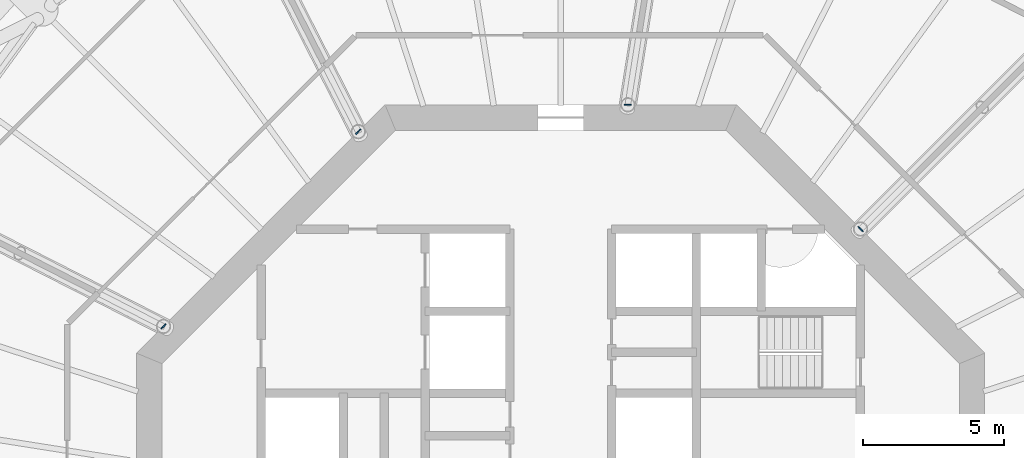
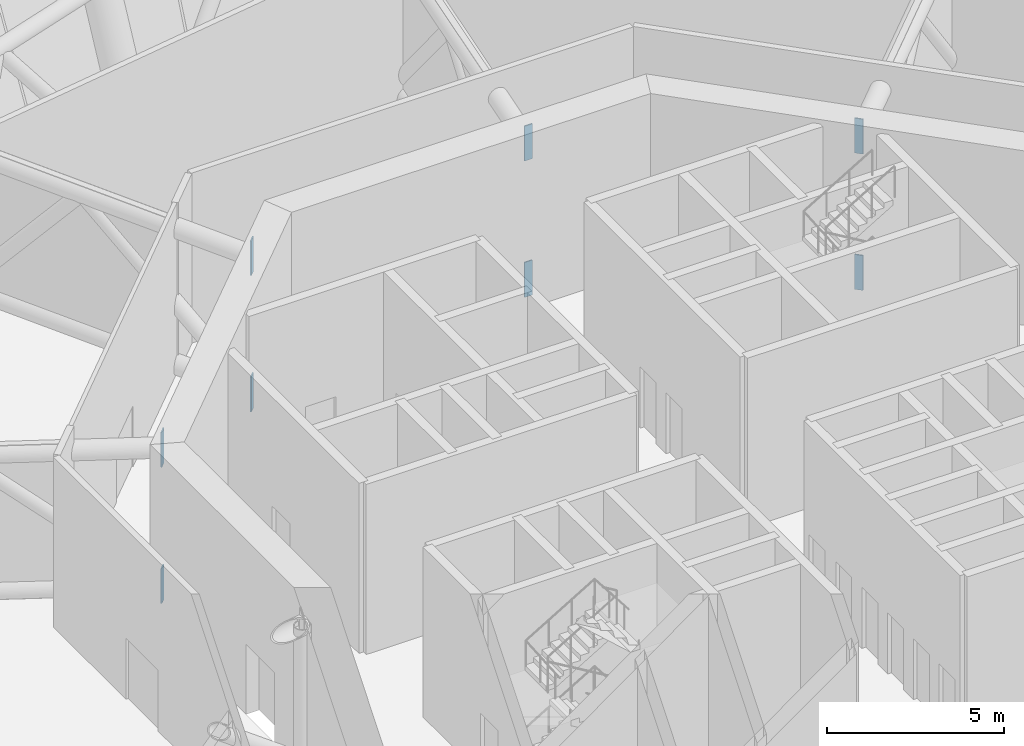
# One storey, part 12 of 15: 8 discrete accessories.
"""IFC4 building model written with IfcOpenShell, lengths in metres."""

from ifc_helpers import new_model, si_unit, direction, frame, origin, origin_2d, place, context, subcontext, project, spatial, rectangle, extrude, material, element, save


model = new_model("IFC4")

# Units and contexts
model_context = context("Model", 3, precision=1e-05, world=origin(), true_north=direction((0.0, 1.0)))
body_context = subcontext(model_context, "Body", "Model", "MODEL_VIEW")
ifc_project = project(units=[si_unit("LENGTHUNIT", "METRE"), si_unit("AREAUNIT", "SQUARE_METRE"), si_unit("VOLUMEUNIT", "CUBIC_METRE"), si_unit("PLANEANGLEUNIT", "RADIAN"), si_unit("MASSUNIT", "GRAM", prefix="KILO")], contexts=[model_context])

# Site, building, storey
site_placement = place(None, origin())
site = spatial("IfcSite", under=ifc_project, at=site_placement, CompositionType="ELEMENT")
building_placement = place(site_placement, origin())
building = spatial("IfcBuilding", under=site, at=building_placement, Name="Entoto Ring Tower", CompositionType="ELEMENT")
storey_placement = place(building_placement, frame((0.0, 0.0, 268.0)))
storey = spatial("IfcBuildingStorey", under=building, at=storey_placement, Name="L61", CompositionType="ELEMENT", Elevation=268.0)

# Discrete accessories
ifc_material = material(Name="Steel S355", Category="steel")
for number, where, z_axis, x_axis, name in (
    (1, (100.606689453125, 90.606689453125, -0.294921875), (0.0, 0.0, 1.0), (0.707106781187, 0.707106781187, 0.0), "Embedded plate L61 bottom 02"),
    (2, (100.606689453125, 90.606689453125, 4.39501953125), (0.0, 0.0, 1.0), (0.707106781187, 0.707106781187, 0.0), "Embedded plate L61 top 02"),
    (3, (92.375732421875, 95.0, -0.294921875), (0.0, 0.0, 1.0), (0.0, 1.0, 0.0), "Embedded plate L61 bottom 03"),
    (4, (92.375732421875, 95.0, 4.39501953125), (0.0, 0.0, 1.0), (0.0, 1.0, 0.0), "Embedded plate L61 top 03"),
    (5, (82.839599609375, 94.052978515625, -0.294921875), (0.0, 0.0, 1.0), (-0.707106781187, 0.707106781187, 0.0), "Embedded plate L61 bottom 04"),
    (6, (82.839599609375, 94.052978515625, 4.39501953125), (0.0, 0.0, 1.0), (-0.707106781187, 0.707106781187, 0.0), "Embedded plate L61 top 04"),
    (7, (75.947021484375, 87.160400390625, -0.294921875), (0.0, 0.0, 1.0), (-0.707106781187, 0.707106781187, 0.0), "Embedded plate L61 bottom 05"),
    (8, (75.947021484375, 87.160400390625, 4.39501953125), (0.0, 0.0, 1.0), (-0.707106781187, 0.707106781187, 0.0), "Embedded plate L61 top 05"),
):
    element("IfcDiscreteAccessory", number, at=place(storey_placement, frame(where, z_axis=z_axis, x_axis=x_axis)), inside=storey, material=ifc_material, Name=name, PredefinedType="ANCHORPLATE", context=body_context, shape_type="SweptSolid", body=[
        extrude(rectangle(XDim=0.0400390625, YDim=0.25, at=origin_2d()), origin(), (0.0, 0.0, 1.0), 1.199951171875),
    ])

save(model, "model.ifc")
